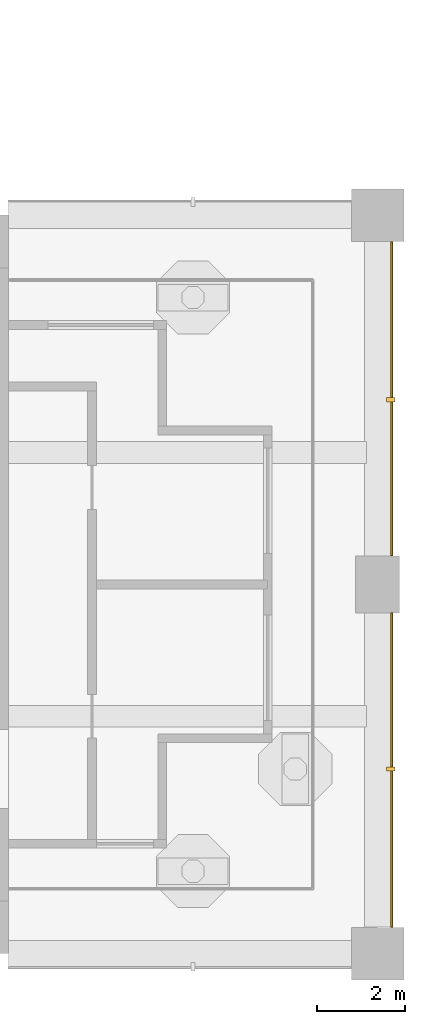
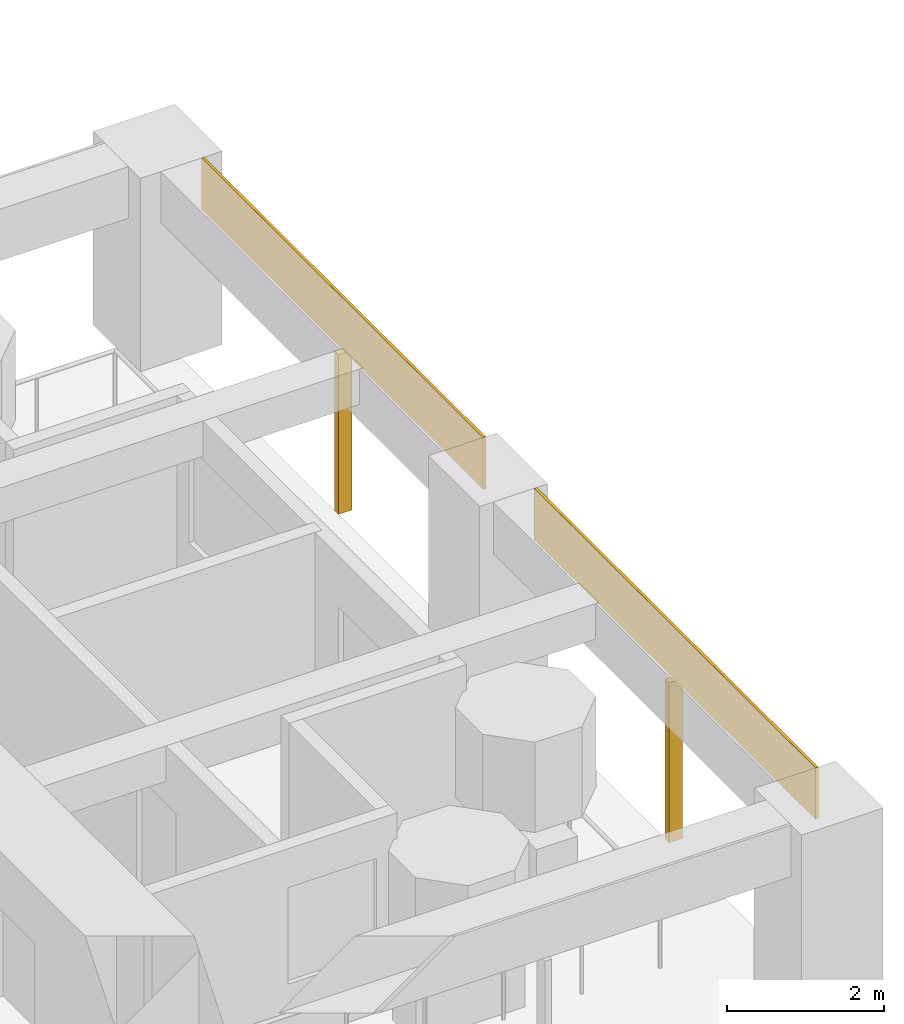
# One storey, part 15 of 18: 4 shading devices.
"""IFC4 building model written with IfcOpenShell, lengths in metres."""

from ifc_helpers import new_model, si_unit, direction, frame, origin, origin_2d, place, context, subcontext, project, spatial, rectangle, extrude, material, layer, layer_set, material_profile, profile_set, type_object, element, save


model = new_model("IFC4")

# Units and contexts
model_context = context("Model", 3, precision=1e-05, world=origin(), true_north=direction((0.0, 1.0)))
body_context = subcontext(model_context, "Body", "Model", "MODEL_VIEW")
ifc_project = project(units=[si_unit("LENGTHUNIT", "METRE"), si_unit("AREAUNIT", "SQUARE_METRE"), si_unit("VOLUMEUNIT", "CUBIC_METRE"), si_unit("PLANEANGLEUNIT", "RADIAN"), si_unit("MASSUNIT", "GRAM", prefix="KILO")], contexts=[model_context])

# Site, building, storey
site_placement = place(None, origin())
site = spatial("IfcSite", under=ifc_project, at=site_placement, CompositionType="ELEMENT")
building_placement = place(site_placement, origin())
building = spatial("IfcBuilding", under=site, at=building_placement, Name="Vermilion Gate Residences", CompositionType="ELEMENT")
storey_placement = place(building_placement, frame((0.0, 0.0, 137.199951171875)))
storey = spatial("IfcBuildingStorey", under=building, at=storey_placement, Name="L35", CompositionType="ELEMENT", Elevation=137.199951171875)

# Shading devices
ifc_material_1 = material(Name="Perforated terracotta", Category="masonry")
ifc_layer = layer(ifc_material_1, 0.0400390625)
ifc_layer_set = layer_set([ifc_layer], Name="PERFORATED TERRACOTTA SCREEN 40")
shading_device_type_1 = type_object("IfcShadingDeviceType", Name="PERFORATED TERRACOTTA SCREEN 40", PredefinedType="SHUTTER", material=ifc_layer_set)
for number, where, z_axis, x_axis, name in (
    (1, (67.52001953125, 12.574951171875, 2.2001953125), (0.0, 0.0, 1.0), (0.0, 1.0, 0.0), "SCREEN"),
    (2, (67.52001953125, 21.02490234375, 2.2001953125), (0.0, 0.0, 1.0), (0.0, 1.0, 0.0), "SCREEN"),
):
    element("IfcShadingDevice", number, at=place(storey_placement, frame(where, z_axis=z_axis, x_axis=x_axis)), inside=storey, type_object=shading_device_type_1, Name=name, PredefinedType="SHUTTER", context=body_context, shape_type="SweptSolid", body=[
        extrude(rectangle(XDim=7.14990234375, YDim=0.0400390625, at=origin_2d()), origin(), (0.0, 0.0, 1.0), 0.800048828125),
    ])
ifc_material_2 = material(Name="Extruded terracotta", Category="masonry")
ifc_material_profile = material_profile(ifc_material_2, rectangle(XDim=0.199951171875, YDim=0.10009765625, at=origin_2d()), Name="BAGUETTE 100 X 200")
ifc_profile_set = profile_set([ifc_material_profile], Name="Extruded terracotta")
shading_device_type_2 = type_object("IfcShadingDeviceType", Name="TERRACOTTA BAGUETTE 100 X 200", PredefinedType="JALOUSIE", material=ifc_profile_set)
for number, where, z_axis, x_axis, name in (
    (3, (67.5, 12.60009765625, -0.280029296875), (0.0, 0.0, 1.0), (-1.0, 0.0, 0.0), "BAGUETTE"),
    (4, (67.5, 21.0, -0.280029296875), (0.0, 0.0, 1.0), (-1.0, 0.0, 0.0), "BAGUETTE"),
):
    element("IfcShadingDevice", number, at=place(storey_placement, frame(where, z_axis=z_axis, x_axis=x_axis)), inside=storey, type_object=shading_device_type_2, Name=name, PredefinedType="JALOUSIE", context=body_context, shape_type="SweptSolid", body=[
        extrude(rectangle(XDim=0.199951171875, YDim=0.10009765625, at=origin_2d()), origin(), (0.0, 0.0, 1.0), 2.47998046875),
    ])

save(model, "model.ifc")
